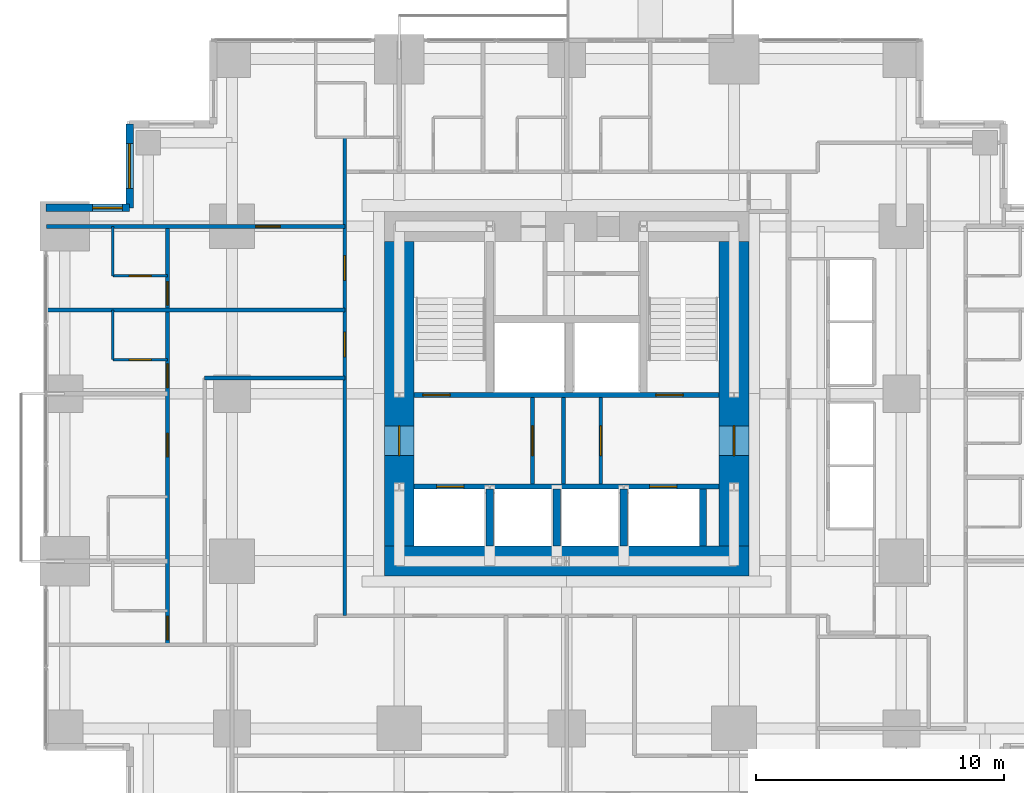
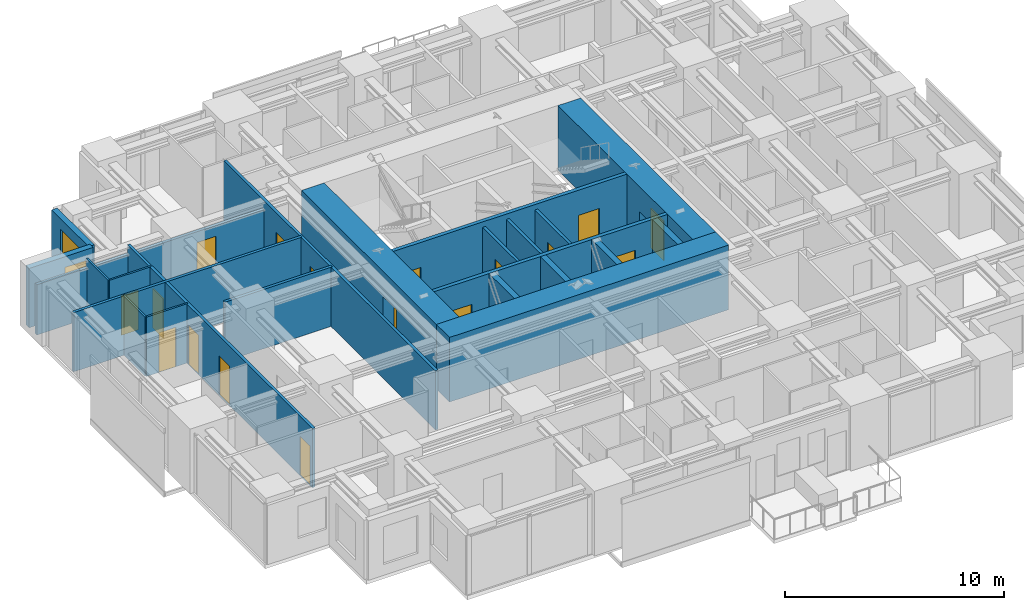
# One storey, part 8 of 12: 23 walls, 17 doors, 2 windows, 19 openings.
"""IFC4 building model written with IfcOpenShell, lengths in metres."""

from ifc_helpers import new_model, si_unit, direction, frame, frame_2d, origin, place, context, subcontext, project, spatial, rectangle, extrude, material, layer, layer_set, type_object, element, fill, save


model = new_model("IFC4")

# Units and contexts
model_context = context("Model", 3, precision=1e-05, world=origin(), true_north=direction((0.0, 1.0)))
body_context = subcontext(model_context, "Body", "Model", "MODEL_VIEW")
ifc_project = project(units=[si_unit("LENGTHUNIT", "METRE"), si_unit("AREAUNIT", "SQUARE_METRE"), si_unit("VOLUMEUNIT", "CUBIC_METRE"), si_unit("PLANEANGLEUNIT", "RADIAN"), si_unit("MASSUNIT", "GRAM", prefix="KILO")], contexts=[model_context])

# Site, building, storey
site_placement = place(None, origin())
site = spatial("IfcSite", under=ifc_project, at=site_placement, CompositionType="ELEMENT")
building_placement = place(site_placement, origin())
building = spatial("IfcBuilding", under=site, at=building_placement, Name="Nyansa Garden Tower", CompositionType="ELEMENT")
storey_placement = place(building_placement, frame((0.0, 0.0, 134.10009765625)))
storey = spatial("IfcBuildingStorey", under=building, at=storey_placement, Name="L36", CompositionType="ELEMENT", Elevation=134.10009765625)

# Wall, openings, doors
ifc_material_1 = material(Name="Concrete C70/85", Category="concrete")
ifc_layer_1 = layer(ifc_material_1, 0.199951171875)
ifc_layer_set_1 = layer_set([ifc_layer_1], Name="Core inner wall CI200")
wall_type_1 = type_object("IfcWallType", Name="Core inner wall CI200", PredefinedType="SHEAR", material=ifc_layer_set_1)
wall_1_placement = place(storey_placement, frame((14.10009765625, 16.5, 0.0), z_axis=(0.0, 0.0, 1.0), x_axis=(1.0, 0.0, 0.0)))
wall_1 = element("IfcWall", 1, at=wall_1_placement, inside=storey, type_object=wall_type_1, Name="Core inner wall L36", PredefinedType="SHEAR", context=body_context, shape_type="SweptSolid", body=[
    extrude(rectangle(XDim=12.2998046875, YDim=0.199951171875, at=frame_2d((6.14990234375, 0.0))), origin(), (0.0, 0.0, 1.0), 3.599853515625),
])
opening_1_placement = place(wall_1_placement, frame((0.89990234375, 0.0, 0.0)))
opening_1 = element("IfcOpeningElement", 2, at=opening_1_placement, cuts=wall_1, Name="Opening LD-F", PredefinedType="OPENING", context=body_context, shape_type="SweptSolid", body=[
    extrude(rectangle(XDim=1.10009765625, YDim=2.199951171875, at=frame_2d((0.550048828125, 1.10009765625))), frame((0.0, 0.10986328125, 0.0), z_axis=(0.0, -1.0, 0.0), x_axis=(1.0, 0.0, 0.0)), (0.0, 0.0, 1.0), 0.219970703125),
])
opening_2_placement = place(wall_1_placement, frame((9.5, 0.0, 0.0)))
opening_2 = element("IfcOpeningElement", 3, at=opening_2_placement, cuts=wall_1, Name="Opening LD-F", PredefinedType="OPENING", context=body_context, shape_type="SweptSolid", body=[
    extrude(rectangle(XDim=1.10009765625, YDim=2.199951171875, at=frame_2d((0.550048828125, 1.10009765625))), frame((0.0, 0.10986328125, 0.0), z_axis=(0.0, -1.0, 0.0), x_axis=(1.0, 0.0, 0.0)), (0.0, 0.0, 1.0), 0.219970703125),
])
ifc_material_2 = material(Name="Stainless steel centre-opening landing door of the firefighting lift, EN 81-72, E 120", Category="steel")
door_type_1 = type_object("IfcDoorType", Name="Lift landing door LD-F 1100x2200", OperationType="DOUBLE_DOOR_SLIDING", PredefinedType="DOOR", material=ifc_material_2)
door_1_placement = place(opening_1_placement, origin())
door_1 = element("IfcDoor", 4, at=door_1_placement, inside=storey, type_object=door_type_1, Name="Landing door FF1", OperationType="DOUBLE_DOOR_SLIDING", OverallHeight=2.199951171875, OverallWidth=1.10009765625, PredefinedType="DOOR", context=body_context, shape_type="SweptSolid", body=[
    extrude(rectangle(XDim=1.10009765625, YDim=2.199951171875, at=frame_2d((0.550048828125, 1.10009765625))), frame((0.0, 0.02490234375, 0.0), z_axis=(0.0, -1.0, 0.0), x_axis=(1.0, 0.0, 0.0)), (0.0, 0.0, 1.0), 0.050048828125),
])
fill(opening_1, door_1)
door_2_placement = place(opening_2_placement, origin())
door_2 = element("IfcDoor", 5, at=door_2_placement, inside=storey, type_object=door_type_1, Name="Landing door FF2", OperationType="DOUBLE_DOOR_SLIDING", OverallHeight=2.199951171875, OverallWidth=1.10009765625, PredefinedType="DOOR", context=body_context, shape_type="SweptSolid", body=[
    extrude(rectangle(XDim=1.10009765625, YDim=2.199951171875, at=frame_2d((0.550048828125, 1.10009765625))), frame((0.0, 0.02490234375, 0.0), z_axis=(0.0, -1.0, 0.0), x_axis=(1.0, 0.0, 0.0)), (0.0, 0.0, 1.0), 0.050048828125),
])
fill(opening_2, door_2)

wall_2_placement = place(storey_placement, frame((14.10009765625, 20.199951171875, 0.0), z_axis=(0.0, 0.0, 1.0), x_axis=(1.0, 0.0, 0.0)))
wall_2 = element("IfcWall", 6, at=wall_2_placement, inside=storey, type_object=wall_type_1, Name="Core inner wall L36", PredefinedType="SHEAR", context=body_context, shape_type="SweptSolid", body=[
    extrude(rectangle(XDim=12.2998046875, YDim=0.199951171875, at=frame_2d((6.14990234375, 0.0))), origin(), (0.0, 0.0, 1.0), 3.599853515625),
])
opening_3_placement = place(wall_2_placement, frame((0.35009765625, 0.0, 0.0)))
opening_3 = element("IfcOpeningElement", 7, at=opening_3_placement, cuts=wall_2, Name="Opening D05", PredefinedType="OPENING", context=body_context, shape_type="SweptSolid", body=[
    extrude(rectangle(XDim=1.10009765625, YDim=2.199951171875, at=frame_2d((0.550048828125, 1.10009765625))), frame((0.0, 0.10986328125, 0.0), z_axis=(0.0, -1.0, 0.0), x_axis=(1.0, 0.0, 0.0)), (0.0, 0.0, 1.0), 0.219970703125),
])
opening_4_placement = place(wall_2_placement, frame((9.75, 0.0, 0.0)))
opening_4 = element("IfcOpeningElement", 8, at=opening_4_placement, cuts=wall_2, Name="Opening D05", PredefinedType="OPENING", context=body_context, shape_type="SweptSolid", body=[
    extrude(rectangle(XDim=1.10009765625, YDim=2.199951171875, at=frame_2d((0.550048828125, 1.10009765625))), frame((0.0, 0.10986328125, 0.0), z_axis=(0.0, -1.0, 0.0), x_axis=(1.0, 0.0, 0.0)), (0.0, 0.0, 1.0), 0.219970703125),
])
ifc_material_3 = material(Name="Steel door, 120 minute fire resisting", Category="steel")
door_type_2 = type_object("IfcDoorType", Name="Stair door D05 1100x2200", OperationType="SINGLE_SWING_LEFT", PredefinedType="DOOR", material=ifc_material_3)
door_3_placement = place(opening_3_placement, origin())
door_3 = element("IfcDoor", 9, at=door_3_placement, inside=storey, type_object=door_type_2, Name="Stair S1 door", OperationType="SINGLE_SWING_LEFT", OverallHeight=2.199951171875, OverallWidth=1.10009765625, PredefinedType="DOOR", context=body_context, shape_type="SweptSolid", body=[
    extrude(rectangle(XDim=1.10009765625, YDim=2.199951171875, at=frame_2d((0.550048828125, 1.10009765625))), frame((0.0, 0.02490234375, 0.0), z_axis=(0.0, -1.0, 0.0), x_axis=(1.0, 0.0, 0.0)), (0.0, 0.0, 1.0), 0.050048828125),
])
fill(opening_3, door_3)
door_4_placement = place(opening_4_placement, origin())
door_4 = element("IfcDoor", 10, at=door_4_placement, inside=storey, type_object=door_type_2, Name="Stair S2 door", OperationType="SINGLE_SWING_LEFT", OverallHeight=2.199951171875, OverallWidth=1.10009765625, PredefinedType="DOOR", context=body_context, shape_type="SweptSolid", body=[
    extrude(rectangle(XDim=1.10009765625, YDim=2.199951171875, at=frame_2d((0.550048828125, 1.10009765625))), frame((0.0, 0.02490234375, 0.0), z_axis=(0.0, -1.0, 0.0), x_axis=(1.0, 0.0, 0.0)), (0.0, 0.0, 1.0), 0.050048828125),
])
fill(opening_4, door_4)

# Walls
ifc_material_4 = material(Name="Concrete C70/85", Category="concrete")
ifc_layer_2 = layer(ifc_material_4, 0.300048828125)
ifc_layer_set_2 = layer_set([ifc_layer_2], Name="Core inner wall CI300")
wall_type_2 = type_object("IfcWallType", Name="Core inner wall CI300", PredefinedType="SHEAR", material=ifc_layer_set_2)
for number, where, z_axis, x_axis, name in (
    (11, (17.14990234375, 14.10009765625, 0.0), (0.0, 0.0, 1.0), (0.0, 1.0, 0.0), "Core inner wall L36"),
    (12, (19.85009765625, 14.10009765625, 0.0), (0.0, 0.0, 1.0), (0.0, 1.0, 0.0), "Core inner wall L36"),
    (13, (22.550048828125, 14.10009765625, 0.0), (0.0, 0.0, 1.0), (0.0, 1.0, 0.0), "Core inner wall L36"),
    (14, (25.75, 14.10009765625, 0.0), (0.0, 0.0, 1.0), (0.0, 1.0, 0.0), "Core inner wall L36"),
):
    element("IfcWall", number, at=place(storey_placement, frame(where, z_axis=z_axis, x_axis=x_axis)), inside=storey, type_object=wall_type_2, Name=name, PredefinedType="SHEAR", context=body_context, shape_type="SweptSolid", body=[
        extrude(rectangle(XDim=2.2998046875, YDim=0.300048828125, at=frame_2d((1.14990234375, 0.0))), origin(), (0.0, 0.0, 1.0), 3.599853515625),
    ])
ifc_material_5 = material(Name="Concrete C80/95", Category="concrete")
ifc_layer_3 = layer(ifc_material_5, 1.199951171875)
ifc_layer_set_3 = layer_set([ifc_layer_3], Name="Core wall CW1200")
wall_type_3 = type_object("IfcWallType", Name="Core wall CW1200", PredefinedType="SHEAR", material=ifc_layer_set_3)
wall_3_placement = place(storey_placement, frame((12.89990234375, 13.5, 0.0), z_axis=(0.0, 0.0, 1.0), x_axis=(1.0, 0.0, 0.0)))
element("IfcWall", 15, at=wall_3_placement, inside=storey, type_object=wall_type_3, Name="Core wall S L36", PredefinedType="SHEAR", context=body_context, shape_type="SweptSolid", body=[
    extrude(rectangle(XDim=14.7001953125, YDim=1.199951171875, at=frame_2d((7.35009765625, 0.0))), origin(), (0.0, 0.0, 1.0), 3.599853515625),
])

# Wall, opening, door
wall_4_placement = place(storey_placement, frame((27.0, 14.10009765625, 0.0), z_axis=(0.0, 0.0, 1.0), x_axis=(0.0, 1.0, 0.0)))
wall_4 = element("IfcWall", 16, at=wall_4_placement, inside=storey, type_object=wall_type_3, Name="Core wall E L36", PredefinedType="SHEAR", context=body_context, shape_type="SweptSolid", body=[
    extrude(rectangle(XDim=12.2998046875, YDim=1.199951171875, at=frame_2d((6.14990234375, 0.0))), origin(), (0.0, 0.0, 1.0), 3.599853515625),
])
opening_5_placement = place(wall_4_placement, frame((3.64990234375, 0.0, 0.0)))
opening_5 = element("IfcOpeningElement", 17, at=opening_5_placement, cuts=wall_4, Name="Opening D06", PredefinedType="OPENING", context=body_context, shape_type="SweptSolid", body=[
    extrude(rectangle(XDim=1.199951171875, YDim=2.199951171875, at=frame_2d((0.60009765625, 1.10009765625))), frame((0.0, 0.60986328125, 0.0), z_axis=(0.0, -1.0, 0.0), x_axis=(1.0, 0.0, 0.0)), (0.0, 0.0, 1.0), 1.219970703125),
])
ifc_material_6 = material(Name="Steel door, 120 minute fire resisting", Category="steel")
door_type_3 = type_object("IfcDoorType", Name="Lobby door D06 1200x2200", OperationType="DOUBLE_DOOR_SINGLE_SWING", PredefinedType="DOOR", material=ifc_material_6)
door_5_placement = place(opening_5_placement, origin())
door_5 = element("IfcDoor", 18, at=door_5_placement, inside=storey, type_object=door_type_3, Name="Lift lobby door east", OperationType="DOUBLE_DOOR_SINGLE_SWING", OverallHeight=2.199951171875, OverallWidth=1.199951171875, PredefinedType="DOOR", context=body_context, shape_type="SweptSolid", body=[
    extrude(rectangle(XDim=1.199951171875, YDim=2.199951171875, at=frame_2d((0.60009765625, 1.10009765625))), frame((0.0, 0.02490234375, 0.0), z_axis=(0.0, -1.0, 0.0), x_axis=(1.0, 0.0, 0.0)), (0.0, 0.0, 1.0), 0.050048828125),
])
fill(opening_5, door_5)

wall_5_placement = place(storey_placement, frame((13.5, 26.39990234375, 0.0), z_axis=(0.0, 0.0, 1.0), x_axis=(0.0, -1.0, 0.0)))
wall_5 = element("IfcWall", 19, at=wall_5_placement, inside=storey, type_object=wall_type_3, Name="Core wall W L36", PredefinedType="SHEAR", context=body_context, shape_type="SweptSolid", body=[
    extrude(rectangle(XDim=12.2998046875, YDim=1.199951171875, at=frame_2d((6.14990234375, 0.0))), origin(), (0.0, 0.0, 1.0), 3.599853515625),
])
opening_6_placement = place(wall_5_placement, frame((7.449951171875, 0.0, 0.0)))
opening_6 = element("IfcOpeningElement", 20, at=opening_6_placement, cuts=wall_5, Name="Opening D06", PredefinedType="OPENING", context=body_context, shape_type="SweptSolid", body=[
    extrude(rectangle(XDim=1.199951171875, YDim=2.199951171875, at=frame_2d((0.60009765625, 1.10009765625))), frame((0.0, 0.60986328125, 0.0), z_axis=(0.0, -1.0, 0.0), x_axis=(1.0, 0.0, 0.0)), (0.0, 0.0, 1.0), 1.219970703125),
])
door_6_placement = place(opening_6_placement, origin())
door_6 = element("IfcDoor", 21, at=door_6_placement, inside=storey, type_object=door_type_3, Name="Lift lobby door west", OperationType="DOUBLE_DOOR_SINGLE_SWING", OverallHeight=2.199951171875, OverallWidth=1.199951171875, PredefinedType="DOOR", context=body_context, shape_type="SweptSolid", body=[
    extrude(rectangle(XDim=1.199951171875, YDim=2.199951171875, at=frame_2d((0.60009765625, 1.10009765625))), frame((0.0, 0.02490234375, 0.0), z_axis=(0.0, -1.0, 0.0), x_axis=(1.0, 0.0, 0.0)), (0.0, 0.0, 1.0), 0.050048828125),
])
fill(opening_6, door_6)

ifc_material_7 = material(Name="Blockwork, plastered both sides", Category="masonry")
ifc_layer_4 = layer(ifc_material_7, 0.14990234375)
ifc_layer_set_4 = layer_set([ifc_layer_4], Name="Partition PW150")
wall_type_4 = type_object("IfcWallType", Name="Partition PW150", PredefinedType="PARTITIONING", material=ifc_layer_set_4)
wall_6_placement = place(storey_placement, frame((18.875, 16.60009765625, 0.0), z_axis=(0.0, 0.0, 1.0), x_axis=(0.0, 1.0, 0.0)))
wall_6 = element("IfcWall", 22, at=wall_6_placement, inside=storey, type_object=wall_type_4, Name="Partition", PredefinedType="PARTITIONING", context=body_context, shape_type="SweptSolid", body=[
    extrude(rectangle(XDim=3.5, YDim=0.14990234375, at=frame_2d((1.75, 0.0))), origin(), (0.0, 0.0, 1.0), 3.2998046875),
])
opening_7_placement = place(wall_6_placement, frame((1.14990234375, 0.0, 0.0)))
opening_7 = element("IfcOpeningElement", 23, at=opening_7_placement, cuts=wall_6, Name="Opening D06", PredefinedType="OPENING", context=body_context, shape_type="SweptSolid", body=[
    extrude(rectangle(XDim=1.199951171875, YDim=2.199951171875, at=frame_2d((0.60009765625, 1.10009765625))), frame((0.0, 0.0849609375, 0.0), z_axis=(0.0, -1.0, 0.0), x_axis=(1.0, 0.0, 0.0)), (0.0, 0.0, 1.0), 0.169921875),
])
door_7_placement = place(opening_7_placement, origin())
door_7 = element("IfcDoor", 24, at=door_7_placement, inside=storey, type_object=door_type_3, Name="Passenger lift lobby door", OperationType="DOUBLE_DOOR_SINGLE_SWING", OverallHeight=2.199951171875, OverallWidth=1.199951171875, PredefinedType="DOOR", context=body_context, shape_type="SweptSolid", body=[
    extrude(rectangle(XDim=1.199951171875, YDim=2.199951171875, at=frame_2d((0.60009765625, 1.10009765625))), frame((0.0, 0.02490234375, 0.0), z_axis=(0.0, -1.0, 0.0), x_axis=(1.0, 0.0, 0.0)), (0.0, 0.0, 1.0), 0.050048828125),
])
fill(opening_7, door_7)

wall_7_placement = place(storey_placement, frame((21.625, 16.60009765625, 0.0), z_axis=(0.0, 0.0, 1.0), x_axis=(0.0, 1.0, 0.0)))
wall_7 = element("IfcWall", 25, at=wall_7_placement, inside=storey, type_object=wall_type_4, Name="Partition", PredefinedType="PARTITIONING", context=body_context, shape_type="SweptSolid", body=[
    extrude(rectangle(XDim=3.5, YDim=0.14990234375, at=frame_2d((1.75, 0.0))), origin(), (0.0, 0.0, 1.0), 3.2998046875),
])
opening_8_placement = place(wall_7_placement, frame((1.14990234375, 0.0, 0.0)))
opening_8 = element("IfcOpeningElement", 26, at=opening_8_placement, cuts=wall_7, Name="Opening D06", PredefinedType="OPENING", context=body_context, shape_type="SweptSolid", body=[
    extrude(rectangle(XDim=1.199951171875, YDim=2.199951171875, at=frame_2d((0.60009765625, 1.10009765625))), frame((0.0, 0.0849609375, 0.0), z_axis=(0.0, -1.0, 0.0), x_axis=(1.0, 0.0, 0.0)), (0.0, 0.0, 1.0), 0.169921875),
])
door_8_placement = place(opening_8_placement, origin())
door_8 = element("IfcDoor", 27, at=door_8_placement, inside=storey, type_object=door_type_3, Name="Passenger lift lobby door", OperationType="DOUBLE_DOOR_SINGLE_SWING", OverallHeight=2.199951171875, OverallWidth=1.199951171875, PredefinedType="DOOR", context=body_context, shape_type="SweptSolid", body=[
    extrude(rectangle(XDim=1.199951171875, YDim=2.199951171875, at=frame_2d((0.60009765625, 1.10009765625))), frame((0.0, 0.02490234375, 0.0), z_axis=(0.0, -1.0, 0.0), x_axis=(1.0, 0.0, 0.0)), (0.0, 0.0, 1.0), 0.050048828125),
])
fill(opening_8, door_8)

# Walls
wall_8_placement = place(storey_placement, frame((20.1201171875, 16.60009765625, 0.0), z_axis=(0.0, 0.0, 1.0), x_axis=(0.0, 1.0, 0.0)))
element("IfcWall", 28, at=wall_8_placement, inside=storey, type_object=wall_type_4, Name="Partition", PredefinedType="PARTITIONING", context=body_context, shape_type="SweptSolid", body=[
    extrude(rectangle(XDim=3.5, YDim=0.14990234375, at=frame_2d((1.75, 0.0))), origin(), (0.0, 0.0, 1.0), 3.2998046875),
])
wall_9_placement = place(storey_placement, frame((-0.73388671875, 23.625, 0.0), z_axis=(0.0, 0.0, 1.0), x_axis=(1.0, 0.0, 0.0)))
element("IfcWall", 29, at=wall_9_placement, inside=storey, type_object=wall_type_4, Name="Partition", PredefinedType="PARTITIONING", context=body_context, shape_type="SweptSolid", body=[
    extrude(rectangle(XDim=12.033935546875, YDim=0.14990234375, at=frame_2d((6.01708984375, 0.0))), origin(), (0.0, 0.0, 1.0), 3.2998046875),
])

# Wall, opening, door
wall_10_placement = place(storey_placement, frame((-0.73388671875, 27.0, 0.0), z_axis=(0.0, 0.0, 1.0), x_axis=(1.0, 0.0, 0.0)))
wall_10 = element("IfcWall", 30, at=wall_10_placement, inside=storey, type_object=wall_type_4, Name="Partition", PredefinedType="PARTITIONING", context=body_context, shape_type="SweptSolid", body=[
    extrude(rectangle(XDim=12.033935546875, YDim=0.14990234375, at=frame_2d((6.01708984375, 0.0))), origin(), (0.0, 0.0, 1.0), 2.802001953125),
])
opening_9_placement = place(wall_10_placement, frame((8.43408203125, 0.0, 0.0)))
opening_9 = element("IfcOpeningElement", 31, at=opening_9_placement, cuts=wall_10, Name="Opening D03", PredefinedType="OPENING", context=body_context, shape_type="SweptSolid", body=[
    extrude(rectangle(XDim=1.0, YDim=2.199951171875, at=frame_2d((0.5, 1.10009765625))), frame((0.0, 0.0849609375, 0.0), z_axis=(0.0, -1.0, 0.0), x_axis=(1.0, 0.0, 0.0)), (0.0, 0.0, 1.0), 0.169921875),
])
ifc_material_8 = material(Name="Timber flush door, 60 minute fire resisting", Category="wood")
door_type_4 = type_object("IfcDoorType", Name="Cluster entrance door D03 1000x2200", OperationType="SINGLE_SWING_LEFT", PredefinedType="DOOR", material=ifc_material_8)
door_9_placement = place(opening_9_placement, origin())
door_9 = element("IfcDoor", 32, at=door_9_placement, inside=storey, type_object=door_type_4, Name="Door L36-054", OperationType="SINGLE_SWING_LEFT", OverallHeight=2.199951171875, OverallWidth=1.0, PredefinedType="DOOR", context=body_context, shape_type="SweptSolid", body=[
    extrude(rectangle(XDim=1.0, YDim=2.199951171875, at=frame_2d((0.5, 1.10009765625))), frame((0.0, 0.02490234375, 0.0), z_axis=(0.0, -1.0, 0.0), x_axis=(1.0, 0.0, 0.0)), (0.0, 0.0, 1.0), 0.050048828125),
])
fill(opening_9, door_9)

# Wall, openings, doors
wall_11_placement = place(storey_placement, frame((4.14990234375, 10.125, 0.0), z_axis=(0.0, 0.0, 1.0), x_axis=(0.0, 1.0, 0.0)))
wall_11 = element("IfcWall", 33, at=wall_11_placement, inside=storey, type_object=wall_type_4, Name="Partition", PredefinedType="PARTITIONING", context=body_context, shape_type="SweptSolid", body=[
    extrude(rectangle(XDim=16.875, YDim=0.14990234375, at=frame_2d((8.4375, 0.0))), origin(), (0.0, 0.0, 1.0), 3.2998046875),
])
opening_10_placement = place(wall_11_placement, frame((13.699951171875, 0.0, 0.0)))
opening_10 = element("IfcOpeningElement", 34, at=opening_10_placement, cuts=wall_11, Name="Opening D01", PredefinedType="OPENING", context=body_context, shape_type="SweptSolid", body=[
    extrude(rectangle(XDim=0.949951171875, YDim=2.199951171875, at=frame_2d((0.47509765625, 1.10009765625))), frame((0.0, 0.0849609375, 0.0), z_axis=(0.0, -1.0, 0.0), x_axis=(1.0, 0.0, 0.0)), (0.0, 0.0, 1.0), 0.169921875),
])
opening_11_placement = place(wall_11_placement, frame((7.574951171875, 0.0, 0.0)))
opening_11 = element("IfcOpeningElement", 35, at=opening_11_placement, cuts=wall_11, Name="Opening D14", PredefinedType="OPENING", context=body_context, shape_type="SweptSolid", body=[
    extrude(rectangle(XDim=0.949951171875, YDim=2.199951171875, at=frame_2d((0.47509765625, 1.10009765625))), frame((0.0, 0.0849609375, 0.0), z_axis=(0.0, -1.0, 0.0), x_axis=(1.0, 0.0, 0.0)), (0.0, 0.0, 1.0), 0.169921875),
])
opening_12_placement = place(wall_11_placement, frame((0.199951171875, 0.0, 0.0)))
opening_12 = element("IfcOpeningElement", 36, at=opening_12_placement, cuts=wall_11, Name="Opening D14", PredefinedType="OPENING", context=body_context, shape_type="SweptSolid", body=[
    extrude(rectangle(XDim=0.949951171875, YDim=2.199951171875, at=frame_2d((0.47509765625, 1.10009765625))), frame((0.0, 0.0849609375, 0.0), z_axis=(0.0, -1.0, 0.0), x_axis=(1.0, 0.0, 0.0)), (0.0, 0.0, 1.0), 0.169921875),
])
opening_13_placement = place(wall_11_placement, frame((10.375, 0.0, 0.0)))
opening_13 = element("IfcOpeningElement", 37, at=opening_13_placement, cuts=wall_11, Name="Opening D14", PredefinedType="OPENING", context=body_context, shape_type="SweptSolid", body=[
    extrude(rectangle(XDim=0.949951171875, YDim=2.199951171875, at=frame_2d((0.47509765625, 1.10009765625))), frame((0.0, 0.0849609375, 0.0), z_axis=(0.0, -1.0, 0.0), x_axis=(1.0, 0.0, 0.0)), (0.0, 0.0, 1.0), 0.169921875),
])
ifc_material_9 = material(Name="Timber flush door, 30 minute fire resisting", Category="wood")
door_type_5 = type_object("IfcDoorType", Name="Bedroom door D01 950x2200", OperationType="SINGLE_SWING_LEFT", PredefinedType="DOOR", material=ifc_material_9)
door_10_placement = place(opening_10_placement, origin())
door_10 = element("IfcDoor", 38, at=door_10_placement, inside=storey, type_object=door_type_5, Name="Door L36-055", OperationType="SINGLE_SWING_LEFT", OverallHeight=2.199951171875, OverallWidth=0.949951171875, PredefinedType="DOOR", context=body_context, shape_type="SweptSolid", body=[
    extrude(rectangle(XDim=0.949951171875, YDim=2.199951171875, at=frame_2d((0.47509765625, 1.10009765625))), frame((0.0, 0.02490234375, 0.0), z_axis=(0.0, -1.0, 0.0), x_axis=(1.0, 0.0, 0.0)), (0.0, 0.0, 1.0), 0.050048828125),
])
fill(opening_10, door_10)
ifc_material_10 = material(Name="Timber flush door, 60 minute fire resisting, self-closing", Category="wood")
door_type_6 = type_object("IfcDoorType", Name="Studio entrance door D14 950x2200", OperationType="SINGLE_SWING_LEFT", PredefinedType="DOOR", material=ifc_material_10)
door_11_placement = place(opening_11_placement, origin())
door_11 = element("IfcDoor", 39, at=door_11_placement, inside=storey, type_object=door_type_6, Name="Door L36-058", OperationType="SINGLE_SWING_LEFT", OverallHeight=2.199951171875, OverallWidth=0.949951171875, PredefinedType="DOOR", context=body_context, shape_type="SweptSolid", body=[
    extrude(rectangle(XDim=0.949951171875, YDim=2.199951171875, at=frame_2d((0.47509765625, 1.10009765625))), frame((0.0, 0.02490234375, 0.0), z_axis=(0.0, -1.0, 0.0), x_axis=(1.0, 0.0, 0.0)), (0.0, 0.0, 1.0), 0.050048828125),
])
fill(opening_11, door_11)
door_12_placement = place(opening_12_placement, origin())
door_12 = element("IfcDoor", 40, at=door_12_placement, inside=storey, type_object=door_type_6, Name="Door L36-060", OperationType="SINGLE_SWING_LEFT", OverallHeight=2.199951171875, OverallWidth=0.949951171875, PredefinedType="DOOR", context=body_context, shape_type="SweptSolid", body=[
    extrude(rectangle(XDim=0.949951171875, YDim=2.199951171875, at=frame_2d((0.47509765625, 1.10009765625))), frame((0.0, 0.02490234375, 0.0), z_axis=(0.0, -1.0, 0.0), x_axis=(1.0, 0.0, 0.0)), (0.0, 0.0, 1.0), 0.050048828125),
])
fill(opening_12, door_12)
door_13_placement = place(opening_13_placement, origin())
door_13 = element("IfcDoor", 41, at=door_13_placement, inside=storey, type_object=door_type_6, Name="Door L36-062", OperationType="SINGLE_SWING_LEFT", OverallHeight=2.199951171875, OverallWidth=0.949951171875, PredefinedType="DOOR", context=body_context, shape_type="SweptSolid", body=[
    extrude(rectangle(XDim=0.949951171875, YDim=2.199951171875, at=frame_2d((0.47509765625, 1.10009765625))), frame((0.0, 0.02490234375, 0.0), z_axis=(0.0, -1.0, 0.0), x_axis=(1.0, 0.0, 0.0)), (0.0, 0.0, 1.0), 0.050048828125),
])
fill(opening_13, door_13)

# Wall
wall_12_placement = place(storey_placement, frame((5.64990234375, 20.886962890625, 0.0), z_axis=(0.0, 0.0, 1.0), x_axis=(1.0, 0.0, 0.0)))
element("IfcWall", 42, at=wall_12_placement, inside=storey, type_object=wall_type_4, Name="Partition", PredefinedType="PARTITIONING", context=body_context, shape_type="SweptSolid", body=[
    extrude(rectangle(XDim=5.650146484375, YDim=0.14990234375, at=frame_2d((2.8251953125, 0.0))), origin(), (0.0, 0.0, 1.0), 3.2998046875),
])

# Wall, openings, doors
wall_13_placement = place(storey_placement, frame((11.300048828125, 11.300048828125, 0.0), z_axis=(0.0, 0.0, 1.0), x_axis=(0.0, 1.0, 0.0)))
wall_13 = element("IfcWall", 43, at=wall_13_placement, inside=storey, type_object=wall_type_4, Name="Partition", PredefinedType="PARTITIONING", context=body_context, shape_type="SweptSolid", body=[
    extrude(rectangle(XDim=19.300048828125, YDim=0.14990234375, at=frame_2d((9.64990234375, 0.0))), origin(), (0.0, 0.0, 1.0), 3.2998046875),
])
opening_14_placement = place(wall_13_placement, frame((13.52490234375, 0.0, 0.0)))
opening_14 = element("IfcOpeningElement", 44, at=opening_14_placement, cuts=wall_13, Name="Opening D03", PredefinedType="OPENING", context=body_context, shape_type="SweptSolid", body=[
    extrude(rectangle(XDim=1.0, YDim=2.199951171875, at=frame_2d((0.5, 1.10009765625))), frame((0.0, 0.0849609375, 0.0), z_axis=(0.0, -1.0, 0.0), x_axis=(1.0, 0.0, 0.0)), (0.0, 0.0, 1.0), 0.169921875),
])
opening_15_placement = place(wall_13_placement, frame((10.4375, 0.0, 0.0)))
opening_15 = element("IfcOpeningElement", 45, at=opening_15_placement, cuts=wall_13, Name="Opening D03", PredefinedType="OPENING", context=body_context, shape_type="SweptSolid", body=[
    extrude(rectangle(XDim=1.0, YDim=2.199951171875, at=frame_2d((0.5, 1.10009765625))), frame((0.0, 0.0849609375, 0.0), z_axis=(0.0, -1.0, 0.0), x_axis=(1.0, 0.0, 0.0)), (0.0, 0.0, 1.0), 0.169921875),
])
door_14_placement = place(opening_14_placement, origin())
door_14 = element("IfcDoor", 46, at=door_14_placement, inside=storey, type_object=door_type_4, Name="Door L36-057", OperationType="SINGLE_SWING_LEFT", OverallHeight=2.199951171875, OverallWidth=1.0, PredefinedType="DOOR", context=body_context, shape_type="SweptSolid", body=[
    extrude(rectangle(XDim=1.0, YDim=2.199951171875, at=frame_2d((0.5, 1.10009765625))), frame((0.0, 0.02490234375, 0.0), z_axis=(0.0, -1.0, 0.0), x_axis=(1.0, 0.0, 0.0)), (0.0, 0.0, 1.0), 0.050048828125),
])
fill(opening_14, door_14)
door_15_placement = place(opening_15_placement, origin())
door_15 = element("IfcDoor", 47, at=door_15_placement, inside=storey, type_object=door_type_4, Name="Door L36-064", OperationType="SINGLE_SWING_LEFT", OverallHeight=2.199951171875, OverallWidth=1.0, PredefinedType="DOOR", context=body_context, shape_type="SweptSolid", body=[
    extrude(rectangle(XDim=1.0, YDim=2.199951171875, at=frame_2d((0.5, 1.10009765625))), frame((0.0, 0.02490234375, 0.0), z_axis=(0.0, -1.0, 0.0), x_axis=(1.0, 0.0, 0.0)), (0.0, 0.0, 1.0), 0.050048828125),
])
fill(opening_15, door_15)

# Wall, opening, window
ifc_material_11 = material(Name="Turquoise glazed tile on concrete blockwork", Category="masonry")
ifc_layer_5 = layer(ifc_material_11, 0.300048828125)
ifc_layer_set_5 = layer_set([ifc_layer_5], Name="Tiled corner wall TW300")
wall_type_5 = type_object("IfcWallType", Name="Tiled corner wall TW300", PredefinedType="SOLIDWALL", material=ifc_layer_set_5)
wall_14_placement = place(storey_placement, frame((2.625, 31.125, 0.0), z_axis=(0.0, 0.0, 1.0), x_axis=(0.0, -1.0, 0.0)))
wall_14 = element("IfcWall", 48, at=wall_14_placement, inside=storey, type_object=wall_type_5, Name="Tiled corner wall L36", PredefinedType="SOLIDWALL", context=body_context, shape_type="SweptSolid", body=[
    extrude(rectangle(XDim=3.375, YDim=0.300048828125, at=frame_2d((1.6875, 0.0))), origin(), (0.0, 0.0, 1.0), 3.2998046875),
])
opening_16_placement = place(wall_14_placement, frame((0.78759765625, 0.0, 0.60009765625)))
opening_16 = element("IfcOpeningElement", 49, at=opening_16_placement, cuts=wall_14, Name="Opening W2", PredefinedType="OPENING", context=body_context, shape_type="SweptSolid", body=[
    extrude(rectangle(XDim=1.800048828125, YDim=2.10009765625, at=frame_2d((0.89990234375, 1.050048828125))), frame((0.0, 0.159912109375, 0.0), z_axis=(0.0, -1.0, 0.0), x_axis=(1.0, 0.0, 0.0)), (0.0, 0.0, 1.0), 0.320068359375),
])
ifc_material_12 = material(Name="Black aluminium frame, dark tinted double glazing", Category="aluminium")
window_type_1 = type_object("IfcWindowType", Name="Window W2 1800x2100", PartitioningType="SINGLE_PANEL", PredefinedType="WINDOW", material=ifc_material_12)
window_1_placement = place(opening_16_placement, origin())
window_1 = element("IfcWindow", 50, at=window_1_placement, inside=storey, type_object=window_type_1, Name="Corner window L36", OverallHeight=2.10009765625, OverallWidth=1.800048828125, PartitioningType="SINGLE_PANEL", PredefinedType="WINDOW", context=body_context, shape_type="SweptSolid", body=[
    extrude(rectangle(XDim=1.800048828125, YDim=2.10009765625, at=frame_2d((0.89990234375, 1.050048828125))), frame((0.0, 0.030029296875, 0.0), z_axis=(0.0, -1.0, 0.0), x_axis=(1.0, 0.0, 0.0)), (0.0, 0.0, 1.0), 0.06005859375),
])
fill(opening_16, window_1)

wall_15_placement = place(storey_placement, frame((2.625, 27.75, 0.0), z_axis=(0.0, 0.0, 1.0), x_axis=(-1.0, 0.0, 0.0)))
wall_15 = element("IfcWall", 51, at=wall_15_placement, inside=storey, type_object=wall_type_5, Name="Tiled corner wall L36", PredefinedType="SOLIDWALL", context=body_context, shape_type="SweptSolid", body=[
    extrude(rectangle(XDim=3.375, YDim=0.300048828125, at=frame_2d((1.6875, 0.0))), origin(), (0.0, 0.0, 1.0), 3.2998046875),
])
opening_17_placement = place(wall_15_placement, frame((0.29248046875, 0.0, 0.89990234375)))
opening_17 = element("IfcOpeningElement", 52, at=opening_17_placement, cuts=wall_15, Name="Opening W4", PredefinedType="OPENING", context=body_context, shape_type="SweptSolid", body=[
    extrude(rectangle(XDim=1.199951171875, YDim=1.800048828125, at=frame_2d((0.60009765625, 0.89990234375))), frame((0.0, 0.159912109375, 0.0), z_axis=(0.0, -1.0, 0.0), x_axis=(1.0, 0.0, 0.0)), (0.0, 0.0, 1.0), 0.320068359375),
])
ifc_material_13 = material(Name="Black aluminium frame, dark tinted double glazing", Category="aluminium")
window_type_2 = type_object("IfcWindowType", Name="Window W4 1200x1800", PartitioningType="SINGLE_PANEL", PredefinedType="WINDOW", material=ifc_material_13)
window_2_placement = place(opening_17_placement, origin())
window_2 = element("IfcWindow", 53, at=window_2_placement, inside=storey, type_object=window_type_2, Name="Corner window L36", OverallHeight=1.800048828125, OverallWidth=1.199951171875, PartitioningType="SINGLE_PANEL", PredefinedType="WINDOW", context=body_context, shape_type="SweptSolid", body=[
    extrude(rectangle(XDim=1.199951171875, YDim=1.800048828125, at=frame_2d((0.60009765625, 0.89990234375))), frame((0.0, 0.030029296875, 0.0), z_axis=(0.0, -1.0, 0.0), x_axis=(1.0, 0.0, 0.0)), (0.0, 0.0, 1.0), 0.06005859375),
])
fill(opening_17, window_2)

# Wall
ifc_material_14 = material(Name="Moisture resistant board on steel studs, tiled", Category="steel")
ifc_layer_6 = layer(ifc_material_14, 0.10009765625)
ifc_layer_set_6 = layer_set([ifc_layer_6], Name="Wet wall PW100")
wall_type_6 = type_object("IfcWallType", Name="Wet wall PW100", PredefinedType="PARTITIONING", material=ifc_layer_set_6)
wall_16_placement = place(storey_placement, frame((1.949951171875, 21.625, 0.0), z_axis=(0.0, 0.0, 1.0), x_axis=(0.0, 1.0, 0.0)))
element("IfcWall", 54, at=wall_16_placement, inside=storey, type_object=wall_type_6, Name="Wet wall", PredefinedType="PARTITIONING", context=body_context, shape_type="SweptSolid", body=[
    extrude(rectangle(XDim=2.0, YDim=0.10009765625, at=frame_2d((1.0, 0.0))), origin(), (0.0, 0.0, 1.0), 3.2998046875),
])

# Wall, opening, door
wall_17_placement = place(storey_placement, frame((1.949951171875, 21.625, 0.0), z_axis=(0.0, 0.0, 1.0), x_axis=(1.0, 0.0, 0.0)))
wall_17 = element("IfcWall", 55, at=wall_17_placement, inside=storey, type_object=wall_type_6, Name="Wet wall", PredefinedType="PARTITIONING", context=body_context, shape_type="SweptSolid", body=[
    extrude(rectangle(XDim=2.199951171875, YDim=0.10009765625, at=frame_2d((1.10009765625, 0.0))), origin(), (0.0, 0.0, 1.0), 3.2998046875),
])
opening_18_placement = place(wall_17_placement, frame((0.64990234375, 0.0, 0.0)))
opening_18 = element("IfcOpeningElement", 56, at=opening_18_placement, cuts=wall_17, Name="Opening D02", PredefinedType="OPENING", context=body_context, shape_type="SweptSolid", body=[
    extrude(rectangle(XDim=0.89990234375, YDim=2.199951171875, at=frame_2d((0.449951171875, 1.10009765625))), frame((0.0, 0.06005859375, 0.0), z_axis=(0.0, -1.0, 0.0), x_axis=(1.0, 0.0, 0.0)), (0.0, 0.0, 1.0), 0.1201171875),
])
ifc_material_15 = material(Name="Timber flush door", Category="wood")
door_type_7 = type_object("IfcDoorType", Name="En-suite door D02 900x2200", OperationType="SINGLE_SWING_RIGHT", PredefinedType="DOOR", material=ifc_material_15)
door_16_placement = place(opening_18_placement, origin())
door_16 = element("IfcDoor", 57, at=door_16_placement, inside=storey, type_object=door_type_7, Name="Door L36-063", OperationType="SINGLE_SWING_RIGHT", OverallHeight=2.199951171875, OverallWidth=0.89990234375, PredefinedType="DOOR", context=body_context, shape_type="SweptSolid", body=[
    extrude(rectangle(XDim=0.89990234375, YDim=2.199951171875, at=frame_2d((0.449951171875, 1.10009765625))), frame((0.0, 0.02490234375, 0.0), z_axis=(0.0, -1.0, 0.0), x_axis=(1.0, 0.0, 0.0)), (0.0, 0.0, 1.0), 0.050048828125),
])
fill(opening_18, door_16)

# Wall
wall_18_placement = place(storey_placement, frame((1.949951171875, 25.0, 0.0), z_axis=(0.0, 0.0, 1.0), x_axis=(0.0, 1.0, 0.0)))
element("IfcWall", 58, at=wall_18_placement, inside=storey, type_object=wall_type_6, Name="Wet wall", PredefinedType="PARTITIONING", context=body_context, shape_type="SweptSolid", body=[
    extrude(rectangle(XDim=2.0, YDim=0.10009765625, at=frame_2d((1.0, 0.0))), origin(), (0.0, 0.0, 1.0), 3.2998046875),
])

# Wall, opening, door
wall_19_placement = place(storey_placement, frame((1.949951171875, 25.0, 0.0), z_axis=(0.0, 0.0, 1.0), x_axis=(1.0, 0.0, 0.0)))
wall_19 = element("IfcWall", 59, at=wall_19_placement, inside=storey, type_object=wall_type_6, Name="Wet wall", PredefinedType="PARTITIONING", context=body_context, shape_type="SweptSolid", body=[
    extrude(rectangle(XDim=2.199951171875, YDim=0.10009765625, at=frame_2d((1.10009765625, 0.0))), origin(), (0.0, 0.0, 1.0), 3.2998046875),
])
opening_19_placement = place(wall_19_placement, frame((0.64990234375, 0.0, 0.0)))
opening_19 = element("IfcOpeningElement", 60, at=opening_19_placement, cuts=wall_19, Name="Opening D02", PredefinedType="OPENING", context=body_context, shape_type="SweptSolid", body=[
    extrude(rectangle(XDim=0.89990234375, YDim=2.199951171875, at=frame_2d((0.449951171875, 1.10009765625))), frame((0.0, 0.06005859375, 0.0), z_axis=(0.0, -1.0, 0.0), x_axis=(1.0, 0.0, 0.0)), (0.0, 0.0, 1.0), 0.1201171875),
])
door_17_placement = place(opening_19_placement, origin())
door_17 = element("IfcDoor", 61, at=door_17_placement, inside=storey, type_object=door_type_7, Name="Door L36-056", OperationType="SINGLE_SWING_RIGHT", OverallHeight=2.199951171875, OverallWidth=0.89990234375, PredefinedType="DOOR", context=body_context, shape_type="SweptSolid", body=[
    extrude(rectangle(XDim=0.89990234375, YDim=2.199951171875, at=frame_2d((0.449951171875, 1.10009765625))), frame((0.0, 0.02490234375, 0.0), z_axis=(0.0, -1.0, 0.0), x_axis=(1.0, 0.0, 0.0)), (0.0, 0.0, 1.0), 0.050048828125),
])
fill(opening_19, door_17)

save(model, "model.ifc")
